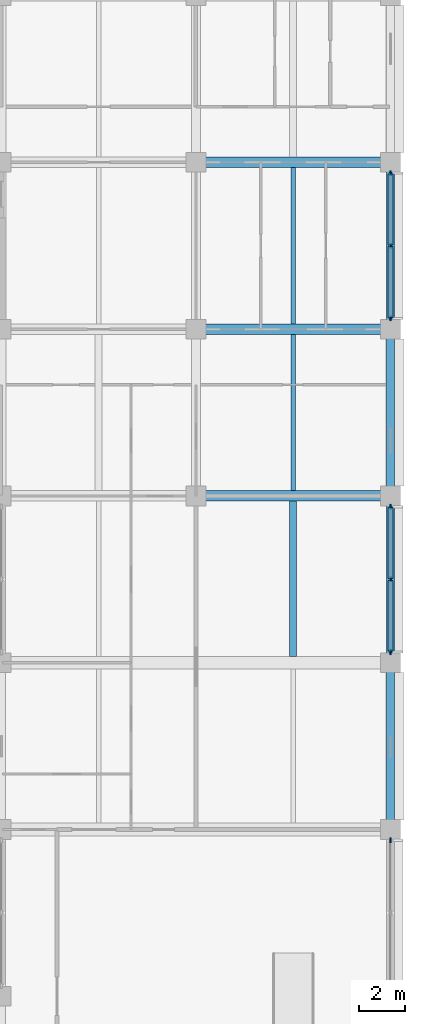
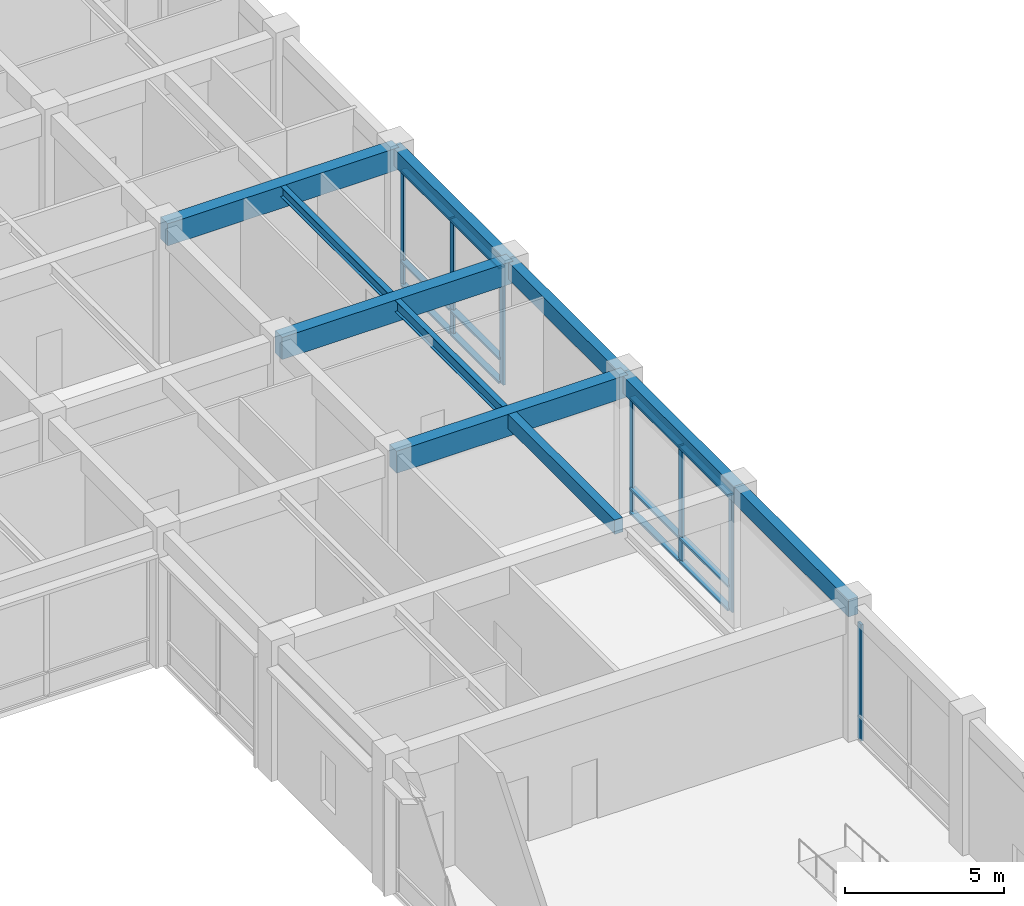
# One storey, part 15 of 51: 19 members, 10 beams, 3 elements without a shape of their own.
"""IFC4 building model written with IfcOpenShell, lengths in metres."""

from ifc_helpers import new_model, si_unit, direction, frame, origin, origin_2d, place, context, subcontext, project, spatial, rectangle, i_section, extrude, material, layer, layer_set, material_profile, profile_set, type_object, element, aggregate, save


model = new_model("IFC4")

# Units and contexts
model_context = context("Model", 3, precision=1e-05, world=origin(), true_north=direction((0.0, 1.0)))
body_context = subcontext(model_context, "Body", "Model", "MODEL_VIEW")
ifc_project = project(units=[si_unit("LENGTHUNIT", "METRE"), si_unit("AREAUNIT", "SQUARE_METRE"), si_unit("VOLUMEUNIT", "CUBIC_METRE"), si_unit("PLANEANGLEUNIT", "RADIAN"), si_unit("MASSUNIT", "GRAM", prefix="KILO")], contexts=[model_context])

# Site, building, storey
site_placement = place(None, origin())
site = spatial("IfcSite", under=ifc_project, at=site_placement, CompositionType="ELEMENT")
building_placement = place(site_placement, origin())
building = spatial("IfcBuilding", under=site, at=building_placement, Name="Chengyuan Square Courthouse", CompositionType="ELEMENT")
storey_placement = place(building_placement, frame((0.0, 0.0, 10.800048828125)))
storey = spatial("IfcBuildingStorey", under=building, at=storey_placement, Name="L03", CompositionType="ELEMENT", Elevation=10.800048828125)

# Beams
ifc_material_1 = material(Name="Concrete C40", Category="concrete")
ifc_material_profile_1 = material_profile(ifc_material_1, rectangle(XDim=0.449951171875, YDim=0.85009765625, at=origin_2d()), Name="RC-BM-450x850")
ifc_profile_set_1 = profile_set([ifc_material_profile_1], Name="Concrete C40")
beam_type_1 = type_object("IfcBeamType", Name="BM-01", PredefinedType="USERDEFINED", material=ifc_profile_set_1)
for number, where, z_axis, x_axis, name in (
    (1, (159.60009765625, 79.199951171875, 4.695068359375), (1.0, 0.0, 0.0), (0.0, 1.0, 0.0), "Girder BM-L03-2543"),
    (2, (159.60009765625, 86.39990234375, 4.695068359375), (1.0, 0.0, 0.0), (0.0, 1.0, 0.0), "Girder BM-L03-2563"),
    (3, (159.60009765625, 93.60009765625, 4.695068359375), (1.0, 0.0, 0.0), (0.0, 1.0, 0.0), "Girder BM-L03-2583"),
):
    element("IfcBeam", number, at=place(storey_placement, frame(where, z_axis=z_axis, x_axis=x_axis)), inside=storey, type_object=beam_type_1, Name=name, ObjectType="GIRDER", PredefinedType="USERDEFINED", context=body_context, shape_type="SweptSolid", body=[
        extrude(rectangle(XDim=0.449951171875, YDim=0.85009765625, at=origin_2d()), origin(), (0.0, 0.0, 1.0), 8.39990234375),
    ])
ifc_material_profile_2 = material_profile(ifc_material_1, rectangle(XDim=0.35009765625, YDim=0.64990234375, at=origin_2d()), Name="RC-BM-350x650")
ifc_profile_set_2 = profile_set([ifc_material_profile_2], Name="Concrete C40")
beam_type_2 = type_object("IfcBeamType", Name="BM-03", PredefinedType="SPANDREL", material=ifc_profile_set_2)
for number, where, z_axis, x_axis, name in (
    (4, (168.0, 64.800048828125, 4.794921875), (0.0, 1.0, 0.0), (-1.0, 0.0, 0.0), "Girder BM-L03-2747"),
    (5, (168.0, 72.0, 4.794921875), (0.0, 1.0, 0.0), (-1.0, 0.0, 0.0), "Girder BM-L03-2748"),
    (6, (168.0, 79.199951171875, 4.794921875), (0.0, 1.0, 0.0), (-1.0, 0.0, 0.0), "Girder BM-L03-2749"),
):
    element("IfcBeam", number, at=place(storey_placement, frame(where, z_axis=z_axis, x_axis=x_axis)), inside=storey, type_object=beam_type_2, Name=name, PredefinedType="SPANDREL", context=body_context, shape_type="SweptSolid", body=[
        extrude(rectangle(XDim=0.35009765625, YDim=0.64990234375, at=origin_2d()), origin(), (0.0, 0.0, 1.0), 7.199951171875),
    ])
beam_1_placement = place(storey_placement, frame((168.0, 86.39990234375, 4.794921875), z_axis=(0.0, 1.0, 0.0), x_axis=(-1.0, 0.0, 0.0)))
element("IfcBeam", 7, at=beam_1_placement, inside=storey, type_object=beam_type_2, Name="Girder BM-L03-2750", PredefinedType="SPANDREL", context=body_context, shape_type="SweptSolid", body=[
    extrude(rectangle(XDim=0.35009765625, YDim=0.64990234375, at=origin_2d()), origin(), (0.0, 0.0, 1.0), 7.2001953125),
])
ifc_material_profile_3 = material_profile(ifc_material_1, rectangle(XDim=0.300048828125, YDim=0.550048828125, at=origin_2d()), Name="RC-BM-300x550")
ifc_profile_set_3 = profile_set([ifc_material_profile_3], Name="Concrete C40")
beam_type_3 = type_object("IfcBeamType", Name="BM-04", PredefinedType="BEAM", material=ifc_profile_set_3)
beam_2_placement = place(storey_placement, frame((163.800048828125, 72.27490234375, 4.844970703125), z_axis=(0.0, 1.0, 0.0), x_axis=(-1.0, 0.0, 0.0)))
element("IfcBeam", 8, at=beam_2_placement, inside=storey, type_object=beam_type_3, Name="Secondary Floor Beam SBM-L03-2838", PredefinedType="BEAM", context=body_context, shape_type="SweptSolid", body=[
    extrude(rectangle(XDim=0.300048828125, YDim=0.550048828125, at=origin_2d()), origin(), (0.0, 0.0, 1.0), 6.7001953125),
])
ifc_material_2 = material(Name="Steel Q355B", Category="steel")
ifc_material_profile_4 = material_profile(ifc_material_2, i_section(OverallWidth=0.199951171875, OverallDepth=0.449951171875, WebThickness=0.009033203125, FlangeThickness=0.013916015625, at=origin_2d()), Name="HN 450x200x9x14")
ifc_profile_set_4 = profile_set([ifc_material_profile_4], Name="Steel Q355B")
beam_type_4 = type_object("IfcBeamType", Name="BM-06", PredefinedType="BEAM", material=ifc_profile_set_4)
beam_3_placement = place(storey_placement, frame((163.800048828125, 79.425048828125, 4.89501953125), z_axis=(0.0, 1.0, 0.0), x_axis=(-1.0, 0.0, 0.0)))
element("IfcBeam", 9, at=beam_3_placement, inside=storey, type_object=beam_type_4, Name="Secondary Floor Beam SBM-L03-2839", PredefinedType="BEAM", context=body_context, shape_type="SweptSolid", body=[
    extrude(i_section(OverallWidth=0.199951171875, OverallDepth=0.449951171875, WebThickness=0.009033203125, FlangeThickness=0.013916015625, at=origin_2d()), origin(), (0.0, 0.0, 1.0), 6.75),
])
ifc_material_profile_5 = material_profile(ifc_material_2, i_section(OverallWidth=0.199951171875, OverallDepth=0.39990234375, WebThickness=0.008056640625, FlangeThickness=0.012939453125, at=origin_2d()), Name="HN 400x200x8x13")
ifc_profile_set_5 = profile_set([ifc_material_profile_5], Name="Steel Q355B")
beam_type_5 = type_object("IfcBeamType", Name="BM-07", PredefinedType="BEAM", material=ifc_profile_set_5)
beam_4_placement = place(storey_placement, frame((163.800048828125, 86.625, 4.919921875), z_axis=(0.0, 1.0, 0.0), x_axis=(-1.0, 0.0, 0.0)))
element("IfcBeam", 10, at=beam_4_placement, inside=storey, type_object=beam_type_5, Name="Secondary Floor Beam SBM-L03-2840", PredefinedType="BEAM", context=body_context, shape_type="SweptSolid", body=[
    extrude(i_section(OverallWidth=0.199951171875, OverallDepth=0.39990234375, WebThickness=0.008056640625, FlangeThickness=0.012939453125, at=origin_2d()), origin(), (0.0, 0.0, 1.0), 6.75),
])

# Curtain wall, member
ifc_material_3 = material(Name="Unitised Aluminium and Triple Low-E Glass", Category="aluminium")
ifc_layer = layer(ifc_material_3, 0.219970703125)
ifc_layer_set = layer_set([ifc_layer], Name="Unitised Aluminium and Triple Low-E Glass")
curtain_wall_type = type_object("IfcCurtainWallType", Name="CW-20", PredefinedType="USERDEFINED", material=ifc_layer_set)
curtain_wall_1_placement = place(storey_placement, origin())
curtain_wall_1 = element("IfcCurtainWall", 11, at=curtain_wall_1_placement, inside=storey, type_object=curtain_wall_type, Name="Unitised Curtain Wall CW-L03-124", ObjectType="UNITISED CURTAIN WALL", PredefinedType="USERDEFINED")
ifc_material_4 = material(Name="Aluminium 6063-T6 Frame", Category="aluminium")
ifc_material_profile_6 = material_profile(ifc_material_4, rectangle(XDim=0.080078125, YDim=0.219970703125, at=origin_2d()), Name="CW-MUL-80x220")
ifc_profile_set_6 = profile_set([ifc_material_profile_6], Name="Aluminium 6063-T6 Frame")
member_type_1 = type_object("IfcMemberType", Name="CWM-04", PredefinedType="MULLION", material=ifc_profile_set_6)
member_1_placement = place(storey_placement, frame((168.0, 64.3349609375, 0.0), z_axis=(0.0, 0.0, 1.0), x_axis=(-1.0, 0.0, 0.0)))
member_1 = element("IfcMember", 12, at=member_1_placement, type_object=member_type_1, Name="CW-20 mullion 3", PredefinedType="MULLION", context=body_context, shape_type="SweptSolid", body=[
    extrude(rectangle(XDim=0.080078125, YDim=0.219970703125, at=origin_2d()), origin(), (0.0, 0.0, 1.0), 4.469970703125),
])
aggregate(curtain_wall_1, [member_1])

# Curtain wall, members
curtain_wall_2_placement = place(storey_placement, origin())
curtain_wall_2 = element("IfcCurtainWall", 13, at=curtain_wall_2_placement, inside=storey, type_object=curtain_wall_type, Name="Unitised Curtain Wall CW-L03-125", ObjectType="UNITISED CURTAIN WALL", PredefinedType="USERDEFINED")
member_2_placement = place(storey_placement, frame((168.0, 72.465087890625, 0.0), z_axis=(0.0, 0.0, 1.0), x_axis=(-1.0, 0.0, 0.0)))
member_2 = element("IfcMember", 14, at=member_2_placement, type_object=member_type_1, Name="CW-20 mullion 1", PredefinedType="MULLION", context=body_context, shape_type="SweptSolid", body=[
    extrude(rectangle(XDim=0.080078125, YDim=0.219970703125, at=origin_2d()), origin(), (0.0, 0.0, 1.0), 4.469970703125),
])
member_3_placement = place(storey_placement, frame((168.0, 75.60009765625, 0.0), z_axis=(0.0, 0.0, 1.0), x_axis=(-1.0, 0.0, 0.0)))
member_3 = element("IfcMember", 15, at=member_3_placement, type_object=member_type_1, Name="CW-20 mullion 2", PredefinedType="MULLION", context=body_context, shape_type="SweptSolid", body=[
    extrude(rectangle(XDim=0.080078125, YDim=0.219970703125, at=origin_2d()), origin(), (0.0, 0.0, 1.0), 4.469970703125),
])
member_4_placement = place(storey_placement, frame((168.0, 78.735107421875, 0.0), z_axis=(0.0, 0.0, 1.0), x_axis=(-1.0, 0.0, 0.0)))
member_4 = element("IfcMember", 16, at=member_4_placement, type_object=member_type_1, Name="CW-20 mullion 3", PredefinedType="MULLION", context=body_context, shape_type="SweptSolid", body=[
    extrude(rectangle(XDim=0.080078125, YDim=0.219970703125, at=origin_2d()), origin(), (0.0, 0.0, 1.0), 4.469970703125),
])

curtain_wall_3_placement = place(storey_placement, origin())
curtain_wall_3 = element("IfcCurtainWall", 17, at=curtain_wall_3_placement, inside=storey, type_object=curtain_wall_type, Name="Unitised Curtain Wall CW-L03-126", ObjectType="UNITISED CURTAIN WALL", PredefinedType="USERDEFINED")
member_5_placement = place(storey_placement, frame((168.0, 86.864990234375, 0.0), z_axis=(0.0, 0.0, 1.0), x_axis=(-1.0, 0.0, 0.0)))
member_5 = element("IfcMember", 18, at=member_5_placement, type_object=member_type_1, Name="CW-20 mullion 1", PredefinedType="MULLION", context=body_context, shape_type="SweptSolid", body=[
    extrude(rectangle(XDim=0.080078125, YDim=0.219970703125, at=origin_2d()), origin(), (0.0, 0.0, 1.0), 4.469970703125),
])
member_6_placement = place(storey_placement, frame((168.0, 90.0, 0.0), z_axis=(0.0, 0.0, 1.0), x_axis=(-1.0, 0.0, 0.0)))
member_6 = element("IfcMember", 19, at=member_6_placement, type_object=member_type_1, Name="CW-20 mullion 2", PredefinedType="MULLION", context=body_context, shape_type="SweptSolid", body=[
    extrude(rectangle(XDim=0.080078125, YDim=0.219970703125, at=origin_2d()), origin(), (0.0, 0.0, 1.0), 4.469970703125),
])
member_7_placement = place(storey_placement, frame((168.0, 93.135009765625, 0.0), z_axis=(0.0, 0.0, 1.0), x_axis=(-1.0, 0.0, 0.0)))
member_7 = element("IfcMember", 20, at=member_7_placement, type_object=member_type_1, Name="CW-20 mullion 3", PredefinedType="MULLION", context=body_context, shape_type="SweptSolid", body=[
    extrude(rectangle(XDim=0.080078125, YDim=0.219970703125, at=origin_2d()), origin(), (0.0, 0.0, 1.0), 4.469970703125),
])

# Member
ifc_material_profile_7 = material_profile(ifc_material_4, rectangle(XDim=0.219970703125, YDim=0.080078125, at=origin_2d()), Name="CW-TRN-80x180")
ifc_profile_set_7 = profile_set([ifc_material_profile_7], Name="Aluminium 6063-T6 Frame")
member_type_2 = type_object("IfcMemberType", Name="CWT-04", PredefinedType="USERDEFINED", material=ifc_profile_set_7)
member_8_placement = place(storey_placement, frame((168.0, 72.5048828125, 0.0400390625), z_axis=(0.0, 1.0, 0.0), x_axis=(-1.0, 0.0, 0.0)))
member_8 = element("IfcMember", 21, at=member_8_placement, type_object=member_type_2, Name="CW-20 transom 1.1", ObjectType="TRANSOM", PredefinedType="USERDEFINED", context=body_context, shape_type="SweptSolid", body=[
    extrude(rectangle(XDim=0.219970703125, YDim=0.080078125, at=origin_2d()), origin(), (0.0, 0.0, 1.0), 3.05517578125),
])

member_9_placement = place(storey_placement, frame((168.0, 72.5048828125, 0.949951171875), z_axis=(0.0, 1.0, 0.0), x_axis=(-1.0, 0.0, 0.0)))
member_9 = element("IfcMember", 22, at=member_9_placement, type_object=member_type_2, Name="CW-20 transom 1.2", ObjectType="TRANSOM", PredefinedType="USERDEFINED", context=body_context, shape_type="SweptSolid", body=[
    extrude(rectangle(XDim=0.219970703125, YDim=0.080078125, at=origin_2d()), origin(), (0.0, 0.0, 1.0), 3.05517578125),
])

member_10_placement = place(storey_placement, frame((168.0, 72.5048828125, 4.429931640625), z_axis=(0.0, 1.0, 0.0), x_axis=(-1.0, 0.0, 0.0)))
member_10 = element("IfcMember", 23, at=member_10_placement, type_object=member_type_2, Name="CW-20 transom 1.3", ObjectType="TRANSOM", PredefinedType="USERDEFINED", context=body_context, shape_type="SweptSolid", body=[
    extrude(rectangle(XDim=0.219970703125, YDim=0.080078125, at=origin_2d()), origin(), (0.0, 0.0, 1.0), 3.05517578125),
])

member_11_placement = place(storey_placement, frame((168.0, 75.639892578125, 0.0400390625), z_axis=(0.0, 1.0, 0.0), x_axis=(-1.0, 0.0, 0.0)))
member_11 = element("IfcMember", 24, at=member_11_placement, type_object=member_type_2, Name="CW-20 transom 2.1", ObjectType="TRANSOM", PredefinedType="USERDEFINED", context=body_context, shape_type="SweptSolid", body=[
    extrude(rectangle(XDim=0.219970703125, YDim=0.080078125, at=origin_2d()), origin(), (0.0, 0.0, 1.0), 3.05517578125),
])

member_12_placement = place(storey_placement, frame((168.0, 75.639892578125, 0.949951171875), z_axis=(0.0, 1.0, 0.0), x_axis=(-1.0, 0.0, 0.0)))
member_12 = element("IfcMember", 25, at=member_12_placement, type_object=member_type_2, Name="CW-20 transom 2.2", ObjectType="TRANSOM", PredefinedType="USERDEFINED", context=body_context, shape_type="SweptSolid", body=[
    extrude(rectangle(XDim=0.219970703125, YDim=0.080078125, at=origin_2d()), origin(), (0.0, 0.0, 1.0), 3.05517578125),
])

member_13_placement = place(storey_placement, frame((168.0, 75.639892578125, 4.429931640625), z_axis=(0.0, 1.0, 0.0), x_axis=(-1.0, 0.0, 0.0)))
member_13 = element("IfcMember", 26, at=member_13_placement, type_object=member_type_2, Name="CW-20 transom 2.3", ObjectType="TRANSOM", PredefinedType="USERDEFINED", context=body_context, shape_type="SweptSolid", body=[
    extrude(rectangle(XDim=0.219970703125, YDim=0.080078125, at=origin_2d()), origin(), (0.0, 0.0, 1.0), 3.05517578125),
])

aggregate(curtain_wall_2, [member_2, member_3, member_4, member_8, member_9, member_10, member_11, member_12, member_13])

member_14_placement = place(storey_placement, frame((168.0, 86.905029296875, 0.0400390625), z_axis=(0.0, 1.0, 0.0), x_axis=(-1.0, 0.0, 0.0)))
member_14 = element("IfcMember", 27, at=member_14_placement, type_object=member_type_2, Name="CW-20 transom 1.1", ObjectType="TRANSOM", PredefinedType="USERDEFINED", context=body_context, shape_type="SweptSolid", body=[
    extrude(rectangle(XDim=0.219970703125, YDim=0.080078125, at=origin_2d()), origin(), (0.0, 0.0, 1.0), 3.054931640625),
])

member_15_placement = place(storey_placement, frame((168.0, 86.905029296875, 0.949951171875), z_axis=(0.0, 1.0, 0.0), x_axis=(-1.0, 0.0, 0.0)))
member_15 = element("IfcMember", 28, at=member_15_placement, type_object=member_type_2, Name="CW-20 transom 1.2", ObjectType="TRANSOM", PredefinedType="USERDEFINED", context=body_context, shape_type="SweptSolid", body=[
    extrude(rectangle(XDim=0.219970703125, YDim=0.080078125, at=origin_2d()), origin(), (0.0, 0.0, 1.0), 3.054931640625),
])

member_16_placement = place(storey_placement, frame((168.0, 86.905029296875, 4.429931640625), z_axis=(0.0, 1.0, 0.0), x_axis=(-1.0, 0.0, 0.0)))
member_16 = element("IfcMember", 29, at=member_16_placement, type_object=member_type_2, Name="CW-20 transom 1.3", ObjectType="TRANSOM", PredefinedType="USERDEFINED", context=body_context, shape_type="SweptSolid", body=[
    extrude(rectangle(XDim=0.219970703125, YDim=0.080078125, at=origin_2d()), origin(), (0.0, 0.0, 1.0), 3.054931640625),
])

member_17_placement = place(storey_placement, frame((168.0, 90.0400390625, 0.0400390625), z_axis=(0.0, 1.0, 0.0), x_axis=(-1.0, 0.0, 0.0)))
member_17 = element("IfcMember", 30, at=member_17_placement, type_object=member_type_2, Name="CW-20 transom 2.1", ObjectType="TRANSOM", PredefinedType="USERDEFINED", context=body_context, shape_type="SweptSolid", body=[
    extrude(rectangle(XDim=0.219970703125, YDim=0.080078125, at=origin_2d()), origin(), (0.0, 0.0, 1.0), 3.054931640625),
])

member_18_placement = place(storey_placement, frame((168.0, 90.0400390625, 0.949951171875), z_axis=(0.0, 1.0, 0.0), x_axis=(-1.0, 0.0, 0.0)))
member_18 = element("IfcMember", 31, at=member_18_placement, type_object=member_type_2, Name="CW-20 transom 2.2", ObjectType="TRANSOM", PredefinedType="USERDEFINED", context=body_context, shape_type="SweptSolid", body=[
    extrude(rectangle(XDim=0.219970703125, YDim=0.080078125, at=origin_2d()), origin(), (0.0, 0.0, 1.0), 3.054931640625),
])

member_19_placement = place(storey_placement, frame((168.0, 90.0400390625, 4.429931640625), z_axis=(0.0, 1.0, 0.0), x_axis=(-1.0, 0.0, 0.0)))
member_19 = element("IfcMember", 32, at=member_19_placement, type_object=member_type_2, Name="CW-20 transom 2.3", ObjectType="TRANSOM", PredefinedType="USERDEFINED", context=body_context, shape_type="SweptSolid", body=[
    extrude(rectangle(XDim=0.219970703125, YDim=0.080078125, at=origin_2d()), origin(), (0.0, 0.0, 1.0), 3.054931640625),
])

aggregate(curtain_wall_3, [member_5, member_6, member_7, member_14, member_15, member_16, member_17, member_18, member_19])

save(model, "model.ifc")
